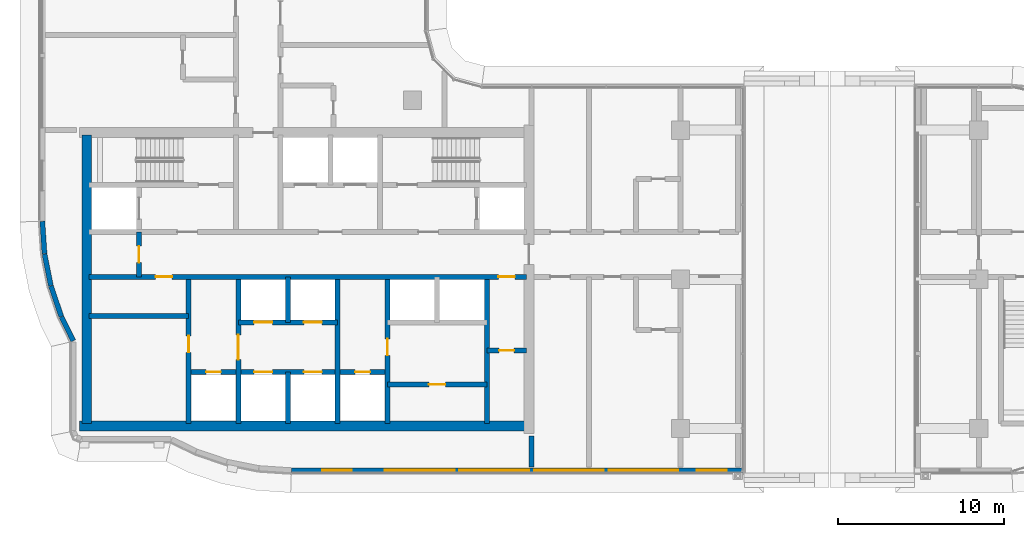
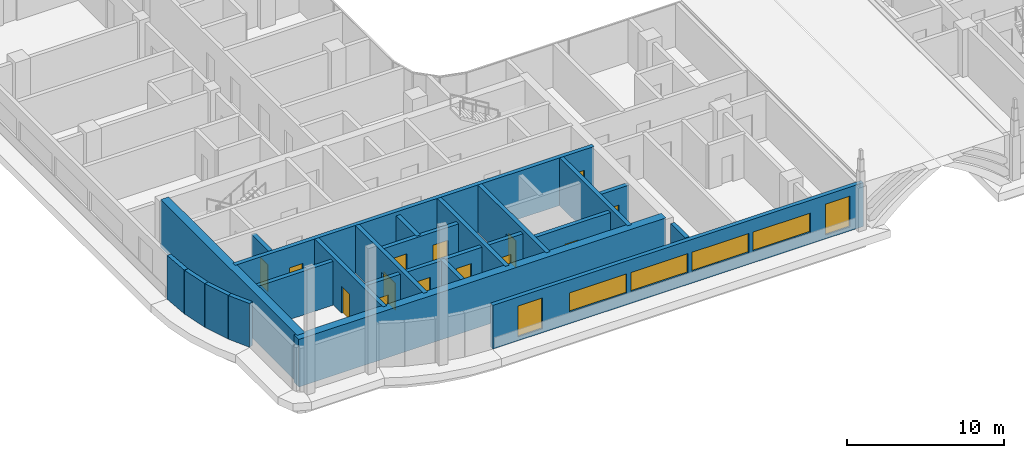
# One storey, part 10 of 23: 22 walls, 14 doors, 6 windows, 20 openings.
"""IFC4 building model written with IfcOpenShell, lengths in metres."""

import ifcopenshell
import ifcopenshell.guid

model = None  # the IFC model being written
_history = None  # IfcOwnerHistory: only IFC2X3 demands one
_inside = {}  # id of a spatial element -> (the spatial element, [elements in it])
_under = {}  # id of a project, library or spatial element -> (it, [spatial elements below it])
_declared = {}  # id of a project -> (the project, [libraries it declares])
_typed = {}  # id of a type object -> (the type object, [elements of that type])
_made_of = {}  # id of a material, layer set ... -> (it, [elements and type objects made of it])


def new_model(schema):
    """Start an empty IFC model of exactly this schema.

    Asked for "IFC4X3", IfcOpenShell would pick the latest addendum, in which some entities
    have other attributes; the version numbers below select the first issue.
    IFC2X3 requires an IfcOwnerHistory on every rooted entity: one is made here for all.
    """
    global model, _history
    if schema == "IFC4X3":
        model = ifcopenshell.file(schema_version=(4, 3, 0, 0))
    else:
        model = ifcopenshell.file(schema=schema)
    _inside.clear()
    _under.clear()
    _declared.clear()
    _typed.clear()
    _made_of.clear()
    _history = None
    if model.schema == "IFC2X3":
        org = make("IfcOrganization", Name="unknown")
        user = make(
            "IfcPersonAndOrganization",
            ThePerson=make("IfcPerson", FamilyName="unknown"),
            TheOrganization=org,
        )
        app = make(
            "IfcApplication",
            ApplicationDeveloper=org,
            Version="unknown",
            ApplicationFullName="unknown",
            ApplicationIdentifier="unknown",
        )
        _history = make(
            "IfcOwnerHistory",
            OwningUser=user,
            OwningApplication=app,
            ChangeAction="ADDED",
            CreationDate=0,
        )
    return model


def make(cls, **values):
    """One entity of the class cls with the attributes given. An attribute that is None is left unset."""
    return model.create_entity(
        cls, **{name: value for name, value in values.items() if value is not None}
    )


def rooted(cls, **values):
    """An entity with a GlobalId (a new one), such as an element, a storey or a relation."""
    return make(cls, GlobalId=ifcopenshell.guid.new(), OwnerHistory=_history, **values)


def si_unit(unit_type, name, prefix=None):
    """IfcSIUnit, for example si_unit("LENGTHUNIT", "METRE", prefix="MILLI")."""
    return make("IfcSIUnit", UnitType=unit_type, Prefix=prefix, Name=name)


def assignment(units):
    """IfcUnitAssignment: the units of a project."""
    return None if units is None else make("IfcUnitAssignment", Units=units)


def point(xyz):
    """IfcCartesianPoint."""
    return None if xyz is None else make("IfcCartesianPoint", Coordinates=xyz)


def direction(xyz):
    """IfcDirection."""
    return None if xyz is None else make("IfcDirection", DirectionRatios=xyz)


def frame(location, z_axis=None, x_axis=None):
    """IfcAxis2Placement3D, a coordinate frame: its origin and axes. An axis left out is left unset."""
    return make(
        "IfcAxis2Placement3D",
        Location=point(location),
        Axis=direction(z_axis),
        RefDirection=direction(x_axis),
    )


def frame_2d(location, x_axis=None):
    """IfcAxis2Placement2D, a coordinate frame in the plane: its origin and x axis."""
    return make(
        "IfcAxis2Placement2D", Location=point(location), RefDirection=direction(x_axis)
    )


def origin():
    """The frame at (0, 0, 0) with its axes left unset."""
    return frame((0.0, 0.0, 0.0))


def place(relative_to, where):
    """IfcLocalPlacement: puts the frame where relative to a parent placement (None: the world)."""
    return make(
        "IfcLocalPlacement", PlacementRelTo=relative_to, RelativePlacement=where
    )


def context(
    kind, dimensions, precision=None, world=None, true_north=None, identifier=None
):
    """IfcGeometricRepresentationContext, for example the 3D "Model" context."""
    return make(
        "IfcGeometricRepresentationContext",
        ContextIdentifier=identifier,
        ContextType=kind,
        CoordinateSpaceDimension=dimensions,
        Precision=precision,
        WorldCoordinateSystem=world,
        TrueNorth=true_north,
    )


def subcontext(parent, identifier, kind, view, scale=None):
    """IfcGeometricRepresentationSubContext, for example "Body" below "Model"."""
    return make(
        "IfcGeometricRepresentationSubContext",
        ContextIdentifier=identifier,
        ContextType=kind,
        ParentContext=parent,
        TargetScale=scale,
        TargetView=view,
    )


def project(units=None, contexts=None):
    """IfcProject with its units and contexts."""
    return rooted(
        "IfcProject",
        Name="project",
        RepresentationContexts=contexts,
        UnitsInContext=assignment(units),
    )


def spatial(cls, under=None, at=None, **own):
    """A site, building, storey or space (cls), placed at a placement, below another one or the project."""
    s = rooted(cls, ObjectPlacement=at, **own)
    if under is not None:
        _under.setdefault(under.id(), (under, []))[1].append(s)
    return s


def profile(cls, at=None, kind="AREA", **sizes):
    """A parametric profile (cls). Its sizes go by their IFC names, for example OverallWidth=200.0."""
    return make(cls, ProfileType=kind, Position=at, **sizes)


def rectangle(**sizes):
    """IfcRectangleProfileDef."""
    return profile("IfcRectangleProfileDef", **sizes)


def extrude(swept, where, along, depth):
    """IfcExtrudedAreaSolid: the profile swept, set in the frame where, extruded along a direction by depth."""
    return make(
        "IfcExtrudedAreaSolid",
        SweptArea=swept,
        Position=where,
        ExtrudedDirection=direction(along),
        Depth=depth,
    )


def shape(context_of_items, identifier, shape_type, items):
    """IfcShapeRepresentation: the items that make up one representation, for example the "Body"."""
    return make(
        "IfcShapeRepresentation",
        ContextOfItems=context_of_items,
        RepresentationIdentifier=identifier,
        RepresentationType=shape_type,
        Items=items,
    )


def material(Name=None, Category=None):
    """IfcMaterial."""
    return make("IfcMaterial", Name=Name, Category=Category)


def layer(
    of_material, thickness, ventilated=None, Name=None, Category=None, Priority=None
):
    """IfcMaterialLayer: one layer of a wall or slab, of a material (None: an air gap)."""
    return make(
        "IfcMaterialLayer",
        Material=of_material,
        LayerThickness=thickness,
        IsVentilated=ventilated,
        Name=Name,
        Category=Category,
        Priority=Priority,
    )


def layer_set(layers, Name=None):
    """IfcMaterialLayerSet."""
    return make("IfcMaterialLayerSet", MaterialLayers=layers, LayerSetName=Name)


def made_of(thing, what):
    """Note that an element or type object is made of a material, layer set ...; save() writes the relation."""
    if what is not None:
        _made_of.setdefault(what.id(), (what, []))[1].append(thing)
    return thing


def type_object(cls, material=None, **own):
    """A type object (cls), such as IfcWallType, which elements share."""
    return made_of(rooted(cls, **own), material)


def element(
    cls,
    number,
    at=None,
    inside=None,
    cuts=None,
    type_object=None,
    material=None,
    context=None,
    identifier="Body",
    shape_type=None,
    held_by="IfcProductDefinitionShape",
    body=None,
    shapes=None,
    **own,
):
    """One element of the class cls, such as IfcWall. Its Tag is "e" and its number.

    at: its placement. inside: the storey or other place that contains it. cuts: it is an
    opening in that element (IfcRelVoidsElement). A single representation is given by context,
    identifier, shape_type and body (its items); several are given by shapes. held_by: the class
    of the entity that holds the representations. save() writes the other relations.
    """
    e = rooted(cls, Tag="e%d" % number, ObjectPlacement=at, **own)
    if body is not None:
        shapes = [shape(context, identifier, shape_type, body)]
    if shapes is not None:
        e.Representation = make(held_by, Representations=shapes)
    if inside is not None:
        _inside.setdefault(inside.id(), (inside, []))[1].append(e)
    if cuts is not None:
        rooted(
            "IfcRelVoidsElement", RelatingBuildingElement=cuts, RelatedOpeningElement=e
        )
    if type_object is not None:
        _typed.setdefault(type_object.id(), (type_object, []))[1].append(e)
    return made_of(e, material)


def fill(opening, filler):
    """IfcRelFillsElement: the door or window that sits in an opening."""
    return rooted(
        "IfcRelFillsElement",
        RelatingOpeningElement=opening,
        RelatedBuildingElement=filler,
    )


def aggregate(whole, parts):
    """IfcRelAggregates: a whole, such as a stair, and the parts it consists of."""
    return rooted("IfcRelAggregates", RelatingObject=whole, RelatedObjects=parts)


def save(model, path):
    """Write the relations noted so far, then the file.

    IfcRelAggregates (storeys below a building ...), IfcRelContainedInSpatialStructure (elements
    in a storey), IfcRelDefinesByType, IfcRelAssociatesMaterial and IfcRelDeclares: one each for
    every whole, place, type object, material and project.
    """
    for whole, parts in _under.values():
        aggregate(whole, parts)
    for where, things in _inside.values():
        rooted(
            "IfcRelContainedInSpatialStructure",
            RelatedElements=things,
            RelatingStructure=where,
        )
    for kind, things in _typed.values():
        rooted("IfcRelDefinesByType", RelatedObjects=things, RelatingType=kind)
    for what, things in _made_of.values():
        rooted("IfcRelAssociatesMaterial", RelatedObjects=things, RelatingMaterial=what)
    for by, libraries in _declared.values():
        rooted("IfcRelDeclares", RelatingContext=by, RelatedDefinitions=libraries)
    model.write(path)


model = new_model("IFC4")

# Units and contexts
model_context = context("Model", 3, precision=1e-05, world=origin(), true_north=direction((0.0, 1.0)))
body_context = subcontext(model_context, "Body", "Model", "MODEL_VIEW")
ifc_project = project(units=[si_unit("LENGTHUNIT", "METRE"), si_unit("AREAUNIT", "SQUARE_METRE"), si_unit("VOLUMEUNIT", "CUBIC_METRE"), si_unit("PLANEANGLEUNIT", "RADIAN"), si_unit("MASSUNIT", "GRAM", prefix="KILO")], contexts=[model_context])

# Site, building, storey
site_placement = place(None, origin())
site = spatial("IfcSite", under=ifc_project, at=site_placement, CompositionType="ELEMENT")
building_placement = place(site_placement, origin())
building = spatial("IfcBuilding", under=site, at=building_placement, Name="Ogive Portal Towers", CompositionType="ELEMENT")
storey_placement = place(building_placement, frame((0.0, 0.0, 179.199951171875)))
storey = spatial("IfcBuildingStorey", under=building, at=storey_placement, Name="L44", CompositionType="ELEMENT", Elevation=179.199951171875)

# Wall, opening, door
ifc_material_1 = material(Name="Concrete C60/75", Category="concrete")
ifc_layer_1 = layer(ifc_material_1, 0.300048828125)
ifc_layer_set_1 = layer_set([ifc_layer_1], Name="CORE WALL 300 C60")
wall_type_1 = type_object("IfcWallType", Name="CORE WALL 300 C60", PredefinedType="SHEAR", material=ifc_layer_set_1)
wall_1_placement = place(storey_placement, frame((37.800048828125, 21.800048828125, 0.0), z_axis=(0.0, 0.0, 1.0), x_axis=(0.0, 1.0, 0.0)))
wall_1 = element("IfcWall", 1, at=wall_1_placement, inside=storey, type_object=wall_type_1, Name="Core wall X1 L44", PredefinedType="SHEAR", context=body_context, shape_type="SweptSolid", body=[
    extrude(rectangle(XDim=8.699951171875, YDim=0.300048828125, at=frame_2d((4.35009765625, 0.0))), origin(), (0.0, 0.0, 1.0), 3.699951171875),
])
opening_1_placement = place(wall_1_placement, frame((4.2880859375, 0.0, 0.0)))
opening_1 = element("IfcOpeningElement", 2, at=opening_1_placement, cuts=wall_1, Name="Opening D19-022", PredefinedType="OPENING", context=body_context, shape_type="SweptSolid", body=[
    extrude(rectangle(XDim=1.0, YDim=2.10009765625, at=frame_2d((0.5, 1.050048828125))), frame((0.0, 0.16015625, 0.0), z_axis=(0.0, -1.0, 0.0), x_axis=(1.0, 0.0, 0.0)), (0.0, 0.0, 1.0), 0.320068359375),
])
ifc_material_2 = material(Name="Steel fire door", Category="steel")
door_type_1 = type_object("IfcDoorType", Name="DT-SWING-1000x2100-FD90S", OperationType="SINGLE_SWING_LEFT", PredefinedType="DOOR", material=ifc_material_2)
door_1_placement = place(opening_1_placement, origin())
door_1 = element("IfcDoor", 3, at=door_1_placement, inside=storey, type_object=door_type_1, Name="Door D19-022", OperationType="SINGLE_SWING_RIGHT", OverallHeight=2.10009765625, OverallWidth=1.0, PredefinedType="DOOR", context=body_context, shape_type="SweptSolid", body=[
    extrude(rectangle(XDim=1.0, YDim=2.10009765625, at=frame_2d((0.5, 1.050048828125))), frame((0.0, 0.02490234375, 0.0), z_axis=(0.0, -1.0, 0.0), x_axis=(1.0, 0.0, 0.0)), (0.0, 0.0, 1.0), 0.050048828125),
])
fill(opening_1, door_1)

wall_2_placement = place(storey_placement, frame((40.800048828125, 21.800048828125, 0.0), z_axis=(0.0, 0.0, 1.0), x_axis=(0.0, 1.0, 0.0)))
wall_2 = element("IfcWall", 4, at=wall_2_placement, inside=storey, type_object=wall_type_1, Name="Core wall X2 L44", PredefinedType="SHEAR", context=body_context, shape_type="SweptSolid", body=[
    extrude(rectangle(XDim=8.699951171875, YDim=0.300048828125, at=frame_2d((4.35009765625, 0.0))), origin(), (0.0, 0.0, 1.0), 3.699951171875),
])
opening_2_placement = place(wall_2_placement, frame((3.85009765625, 0.0, 0.0)))
opening_2 = element("IfcOpeningElement", 5, at=opening_2_placement, cuts=wall_2, Name="Opening D19-001", PredefinedType="OPENING", context=body_context, shape_type="SweptSolid", body=[
    extrude(rectangle(XDim=1.5, YDim=2.10009765625, at=frame_2d((0.75, 1.050048828125))), frame((0.0, 0.16015625, 0.0), z_axis=(0.0, -1.0, 0.0), x_axis=(1.0, 0.0, 0.0)), (0.0, 0.0, 1.0), 0.320068359375),
])
door_type_2 = type_object("IfcDoorType", Name="DT-SWING-1500x2100-FD90S", OperationType="SINGLE_SWING_LEFT", PredefinedType="DOOR", material=ifc_material_2)
door_2_placement = place(opening_2_placement, origin())
door_2 = element("IfcDoor", 6, at=door_2_placement, inside=storey, type_object=door_type_2, Name="Door D19-001", OperationType="SINGLE_SWING_RIGHT", OverallHeight=2.10009765625, OverallWidth=1.5, PredefinedType="DOOR", context=body_context, shape_type="SweptSolid", body=[
    extrude(rectangle(XDim=1.5, YDim=2.10009765625, at=frame_2d((0.75, 1.050048828125))), frame((0.0, 0.02490234375, 0.0), z_axis=(0.0, -1.0, 0.0), x_axis=(1.0, 0.0, 0.0)), (0.0, 0.0, 1.0), 0.050048828125),
])
fill(opening_2, door_2)

# Wall
wall_3_placement = place(storey_placement, frame((46.800048828125, 21.800048828125, 0.0), z_axis=(0.0, 0.0, 1.0), x_axis=(0.0, 1.0, 0.0)))
element("IfcWall", 7, at=wall_3_placement, inside=storey, type_object=wall_type_1, Name="Core wall X3 L44", PredefinedType="SHEAR", context=body_context, shape_type="SweptSolid", body=[
    extrude(rectangle(XDim=8.699951171875, YDim=0.300048828125, at=frame_2d((4.35009765625, 0.0))), origin(), (0.0, 0.0, 1.0), 3.699951171875),
])

# Wall, opening, door
wall_4_placement = place(storey_placement, frame((49.800048828125, 21.800048828125, 0.0), z_axis=(0.0, 0.0, 1.0), x_axis=(0.0, 1.0, 0.0)))
wall_4 = element("IfcWall", 8, at=wall_4_placement, inside=storey, type_object=wall_type_1, Name="Core wall X4 L44", PredefinedType="SHEAR", context=body_context, shape_type="SweptSolid", body=[
    extrude(rectangle(XDim=8.699951171875, YDim=0.300048828125, at=frame_2d((4.35009765625, 0.0))), origin(), (0.0, 0.0, 1.0), 3.699951171875),
])
opening_3_placement = place(wall_4_placement, frame((4.10009765625, 0.0, 0.0)))
opening_3 = element("IfcOpeningElement", 9, at=opening_3_placement, cuts=wall_4, Name="Opening D19-023", PredefinedType="OPENING", context=body_context, shape_type="SweptSolid", body=[
    extrude(rectangle(XDim=1.0, YDim=2.10009765625, at=frame_2d((0.5, 1.050048828125))), frame((0.0, 0.16015625, 0.0), z_axis=(0.0, -1.0, 0.0), x_axis=(1.0, 0.0, 0.0)), (0.0, 0.0, 1.0), 0.320068359375),
])
door_3_placement = place(opening_3_placement, origin())
door_3 = element("IfcDoor", 10, at=door_3_placement, inside=storey, type_object=door_type_1, Name="Door D19-023", OperationType="SINGLE_SWING_LEFT", OverallHeight=2.10009765625, OverallWidth=1.0, PredefinedType="DOOR", context=body_context, shape_type="SweptSolid", body=[
    extrude(rectangle(XDim=1.0, YDim=2.10009765625, at=frame_2d((0.5, 1.050048828125))), frame((0.0, 0.02490234375, 0.0), z_axis=(0.0, -1.0, 0.0), x_axis=(1.0, 0.0, 0.0)), (0.0, 0.0, 1.0), 0.050048828125),
])
fill(opening_3, door_3)

# Wall
wall_5_placement = place(storey_placement, frame((55.800048828125, 21.800048828125, 0.0), z_axis=(0.0, 0.0, 1.0), x_axis=(0.0, 1.0, 0.0)))
element("IfcWall", 11, at=wall_5_placement, inside=storey, type_object=wall_type_1, Name="Core wall X5 L44", PredefinedType="SHEAR", context=body_context, shape_type="SweptSolid", body=[
    extrude(rectangle(XDim=8.699951171875, YDim=0.300048828125, at=frame_2d((4.35009765625, 0.0))), origin(), (0.0, 0.0, 1.0), 3.699951171875),
])

# Wall, openings, doors
wall_6_placement = place(storey_placement, frame((31.800048828125, 30.64990234375, 0.0), z_axis=(0.0, 0.0, 1.0), x_axis=(1.0, 0.0, 0.0)))
wall_6 = element("IfcWall", 12, at=wall_6_placement, inside=storey, type_object=wall_type_1, Name="Core wall Y1 L44", PredefinedType="SHEAR", context=body_context, shape_type="SweptSolid", body=[
    extrude(rectangle(XDim=26.39990234375, YDim=0.300048828125, at=frame_2d((13.199951171875, 0.0))), origin(), (0.0, 0.0, 1.0), 3.699951171875),
])
opening_4_placement = place(wall_6_placement, frame((24.699951171875, 0.0, 0.0)))
opening_4 = element("IfcOpeningElement", 13, at=opening_4_placement, cuts=wall_6, Name="Opening D19-009", PredefinedType="OPENING", context=body_context, shape_type="SweptSolid", body=[
    extrude(rectangle(XDim=1.0, YDim=2.10009765625, at=frame_2d((0.5, 1.050048828125))), frame((0.0, 0.16015625, 0.0), z_axis=(0.0, -1.0, 0.0), x_axis=(1.0, 0.0, 0.0)), (0.0, 0.0, 1.0), 0.320068359375),
])
opening_5_placement = place(wall_6_placement, frame((4.0, 0.0, 0.0)))
opening_5 = element("IfcOpeningElement", 14, at=opening_5_placement, cuts=wall_6, Name="Opening D19-021", PredefinedType="OPENING", context=body_context, shape_type="SweptSolid", body=[
    extrude(rectangle(XDim=1.0, YDim=2.10009765625, at=frame_2d((0.5, 1.050048828125))), frame((0.0, 0.16015625, 0.0), z_axis=(0.0, -1.0, 0.0), x_axis=(1.0, 0.0, 0.0)), (0.0, 0.0, 1.0), 0.320068359375),
])
door_4_placement = place(opening_4_placement, origin())
door_4 = element("IfcDoor", 15, at=door_4_placement, inside=storey, type_object=door_type_1, Name="Door D19-009", OperationType="SINGLE_SWING_LEFT", OverallHeight=2.10009765625, OverallWidth=1.0, PredefinedType="DOOR", context=body_context, shape_type="SweptSolid", body=[
    extrude(rectangle(XDim=1.0, YDim=2.10009765625, at=frame_2d((0.5, 1.050048828125))), frame((0.0, 0.02490234375, 0.0), z_axis=(0.0, -1.0, 0.0), x_axis=(1.0, 0.0, 0.0)), (0.0, 0.0, 1.0), 0.050048828125),
])
fill(opening_4, door_4)
door_5_placement = place(opening_5_placement, origin())
door_5 = element("IfcDoor", 16, at=door_5_placement, inside=storey, type_object=door_type_1, Name="Riser access door D19-021", OperationType="SINGLE_SWING_LEFT", OverallHeight=2.10009765625, OverallWidth=1.0, PredefinedType="DOOR", context=body_context, shape_type="SweptSolid", body=[
    extrude(rectangle(XDim=1.0, YDim=2.10009765625, at=frame_2d((0.5, 1.050048828125))), frame((0.0, 0.02490234375, 0.0), z_axis=(0.0, -1.0, 0.0), x_axis=(1.0, 0.0, 0.0)), (0.0, 0.0, 1.0), 0.050048828125),
])
fill(opening_5, door_5)

# Walls
ifc_layer_2 = layer(ifc_material_1, 0.60009765625)
ifc_layer_set_2 = layer_set([ifc_layer_2], Name="CORE WALL 600 C60")
wall_type_2 = type_object("IfcWallType", Name="CORE WALL 600 C60", PredefinedType="SHEAR", material=ifc_layer_set_2)
wall_7_placement = place(storey_placement, frame((31.64990234375, 21.800048828125, 0.0), z_axis=(0.0, 0.0, 1.0), x_axis=(0.0, 1.0, 0.0)))
element("IfcWall", 17, at=wall_7_placement, inside=storey, type_object=wall_type_2, Name="Core wall W L44", PredefinedType="SHEAR", context=body_context, shape_type="SweptSolid", body=[
    extrude(rectangle(XDim=17.39990234375, YDim=0.60009765625, at=frame_2d((8.699951171875, 0.0))), origin(), (0.0, 0.0, 1.0), 3.699951171875),
])
wall_8_placement = place(storey_placement, frame((31.199951171875, 21.64990234375, 0.0), z_axis=(0.0, 0.0, 1.0), x_axis=(1.0, 0.0, 0.0)))
element("IfcWall", 18, at=wall_8_placement, inside=storey, type_object=wall_type_2, Name="Core wall S L44", PredefinedType="SHEAR", context=body_context, shape_type="SweptSolid", body=[
    extrude(rectangle(XDim=27.0, YDim=0.60009765625, at=frame_2d((13.5, 0.0))), origin(), (0.0, 0.0, 1.0), 3.699951171875),
])

# Wall, openings, windows
ifc_material_3 = material(Name="Limestone cladding on lightweight block wall", Category="masonry")
ifc_layer_3 = layer(ifc_material_3, 0.300048828125)
ifc_layer_set_3 = layer_set([ifc_layer_3], Name="EXTERNAL WALL 300 STONE")
wall_type_3 = type_object("IfcWallType", Name="EXTERNAL WALL 300 STONE", PredefinedType="SOLIDWALL", material=ifc_layer_set_3)
wall_9_placement = place(storey_placement, frame((44.009765625, 18.969970703125, 0.0), z_axis=(0.0, 0.0, 1.0), x_axis=(1.0, 0.0, 0.0)))
wall_9 = element("IfcWall", 19, at=wall_9_placement, inside=storey, type_object=wall_type_3, Name="A:L44:f08:r0:wall", PredefinedType="SOLIDWALL", context=body_context, shape_type="SweptSolid", body=[
    extrude(rectangle(XDim=27.240234375, YDim=0.300048828125, at=frame_2d((13.6201171875, 0.0))), origin(), (0.0, 0.0, 1.0), 3.400146484375),
])
opening_6_placement = place(wall_9_placement, frame((1.844970703125, 0.0, 0.300048828125)))
opening_6 = element("IfcOpeningElement", 20, at=opening_6_placement, cuts=wall_9, Name="Opening WN10", PredefinedType="OPENING", context=body_context, shape_type="SweptSolid", body=[
    extrude(rectangle(XDim=1.800048828125, YDim=2.39990234375, at=frame_2d((0.89990234375, 1.199951171875))), frame((0.0, 0.16015625, 0.0), z_axis=(0.0, -1.0, 0.0), x_axis=(1.0, 0.0, 0.0)), (0.0, 0.0, 1.0), 0.320068359375),
])
opening_7_placement = place(wall_9_placement, frame((5.64013671875, 0.0, 0.89990234375)))
opening_7 = element("IfcOpeningElement", 21, at=opening_7_placement, cuts=wall_9, Name="Opening WN11", PredefinedType="OPENING", context=body_context, shape_type="SweptSolid", body=[
    extrude(rectangle(XDim=4.199951171875, YDim=1.5, at=frame_2d((2.10009765625, 0.75))), frame((0.0, 0.16015625, 0.0), z_axis=(0.0, -1.0, 0.0), x_axis=(1.0, 0.0, 0.0)), (0.0, 0.0, 1.0), 0.320068359375),
])
opening_8_placement = place(wall_9_placement, frame((10.14013671875, 0.0, 0.89990234375)))
opening_8 = element("IfcOpeningElement", 22, at=opening_8_placement, cuts=wall_9, Name="Opening WN11", PredefinedType="OPENING", context=body_context, shape_type="SweptSolid", body=[
    extrude(rectangle(XDim=4.199951171875, YDim=1.5, at=frame_2d((2.10009765625, 0.75))), frame((0.0, 0.16015625, 0.0), z_axis=(0.0, -1.0, 0.0), x_axis=(1.0, 0.0, 0.0)), (0.0, 0.0, 1.0), 0.320068359375),
])
opening_9_placement = place(wall_9_placement, frame((14.64013671875, 0.0, 0.89990234375)))
opening_9 = element("IfcOpeningElement", 23, at=opening_9_placement, cuts=wall_9, Name="Opening WN11", PredefinedType="OPENING", context=body_context, shape_type="SweptSolid", body=[
    extrude(rectangle(XDim=4.199951171875, YDim=1.5, at=frame_2d((2.10009765625, 0.75))), frame((0.0, 0.16015625, 0.0), z_axis=(0.0, -1.0, 0.0), x_axis=(1.0, 0.0, 0.0)), (0.0, 0.0, 1.0), 0.320068359375),
])
opening_10_placement = place(wall_9_placement, frame((19.14013671875, 0.0, 0.89990234375)))
opening_10 = element("IfcOpeningElement", 24, at=opening_10_placement, cuts=wall_9, Name="Opening WN11", PredefinedType="OPENING", context=body_context, shape_type="SweptSolid", body=[
    extrude(rectangle(XDim=4.199951171875, YDim=1.5, at=frame_2d((2.10009765625, 0.75))), frame((0.0, 0.16015625, 0.0), z_axis=(0.0, -1.0, 0.0), x_axis=(1.0, 0.0, 0.0)), (0.0, 0.0, 1.0), 0.320068359375),
])
opening_11_placement = place(wall_9_placement, frame((24.465087890625, 0.0, 0.300048828125)))
opening_11 = element("IfcOpeningElement", 25, at=opening_11_placement, cuts=wall_9, Name="Opening WN10", PredefinedType="OPENING", context=body_context, shape_type="SweptSolid", body=[
    extrude(rectangle(XDim=1.800048828125, YDim=2.39990234375, at=frame_2d((0.89990234375, 1.199951171875))), frame((0.0, 0.16015625, 0.0), z_axis=(0.0, -1.0, 0.0), x_axis=(1.0, 0.0, 0.0)), (0.0, 0.0, 1.0), 0.320068359375),
])
ifc_material_4 = material(Name="Glass, clear low-iron insulated glazing", Category="glass")
window_type_1 = type_object("IfcWindowType", Name="WINDOW RIBBON 4200x1500", PartitioningType="TRIPLE_PANEL_VERTICAL", PredefinedType="WINDOW", material=ifc_material_4)
window_1_placement = place(opening_7_placement, origin())
window_1 = element("IfcWindow", 26, at=window_1_placement, inside=storey, type_object=window_type_1, Name="A:L44:f08:r0:w1", OverallHeight=1.5, OverallWidth=4.199951171875, PartitioningType="SINGLE_PANEL", PredefinedType="WINDOW", context=body_context, shape_type="SweptSolid", body=[
    extrude(rectangle(XDim=4.199951171875, YDim=1.5, at=frame_2d((2.10009765625, 0.75))), frame((0.0, 0.030029296875, 0.0), z_axis=(0.0, -1.0, 0.0), x_axis=(1.0, 0.0, 0.0)), (0.0, 0.0, 1.0), 0.06005859375),
])
fill(opening_7, window_1)
window_2_placement = place(opening_8_placement, origin())
window_2 = element("IfcWindow", 27, at=window_2_placement, inside=storey, type_object=window_type_1, Name="A:L44:f08:r0:w2", OverallHeight=1.5, OverallWidth=4.199951171875, PartitioningType="SINGLE_PANEL", PredefinedType="WINDOW", context=body_context, shape_type="SweptSolid", body=[
    extrude(rectangle(XDim=4.199951171875, YDim=1.5, at=frame_2d((2.10009765625, 0.75))), frame((0.0, 0.030029296875, 0.0), z_axis=(0.0, -1.0, 0.0), x_axis=(1.0, 0.0, 0.0)), (0.0, 0.0, 1.0), 0.06005859375),
])
fill(opening_8, window_2)
window_3_placement = place(opening_9_placement, origin())
window_3 = element("IfcWindow", 28, at=window_3_placement, inside=storey, type_object=window_type_1, Name="A:L44:f08:r0:w3", OverallHeight=1.5, OverallWidth=4.199951171875, PartitioningType="SINGLE_PANEL", PredefinedType="WINDOW", context=body_context, shape_type="SweptSolid", body=[
    extrude(rectangle(XDim=4.199951171875, YDim=1.5, at=frame_2d((2.10009765625, 0.75))), frame((0.0, 0.030029296875, 0.0), z_axis=(0.0, -1.0, 0.0), x_axis=(1.0, 0.0, 0.0)), (0.0, 0.0, 1.0), 0.06005859375),
])
fill(opening_9, window_3)
window_4_placement = place(opening_10_placement, origin())
window_4 = element("IfcWindow", 29, at=window_4_placement, inside=storey, type_object=window_type_1, Name="A:L44:f08:r0:w4", OverallHeight=1.5, OverallWidth=4.199951171875, PartitioningType="SINGLE_PANEL", PredefinedType="WINDOW", context=body_context, shape_type="SweptSolid", body=[
    extrude(rectangle(XDim=4.199951171875, YDim=1.5, at=frame_2d((2.10009765625, 0.75))), frame((0.0, 0.030029296875, 0.0), z_axis=(0.0, -1.0, 0.0), x_axis=(1.0, 0.0, 0.0)), (0.0, 0.0, 1.0), 0.06005859375),
])
fill(opening_10, window_4)
window_type_2 = type_object("IfcWindowType", Name="WINDOW SUITE CORNER 1800x2400", PartitioningType="DOUBLE_PANEL_VERTICAL", PredefinedType="WINDOW", material=ifc_material_4)
window_5_placement = place(opening_6_placement, origin())
window_5 = element("IfcWindow", 30, at=window_5_placement, inside=storey, type_object=window_type_2, Name="A:L44:f08:r0:w0", OverallHeight=2.39990234375, OverallWidth=1.800048828125, PartitioningType="SINGLE_PANEL", PredefinedType="WINDOW", context=body_context, shape_type="SweptSolid", body=[
    extrude(rectangle(XDim=1.800048828125, YDim=2.39990234375, at=frame_2d((0.89990234375, 1.199951171875))), frame((0.0, 0.030029296875, 0.0), z_axis=(0.0, -1.0, 0.0), x_axis=(1.0, 0.0, 0.0)), (0.0, 0.0, 1.0), 0.06005859375),
])
fill(opening_6, window_5)
window_6_placement = place(opening_11_placement, origin())
window_6 = element("IfcWindow", 31, at=window_6_placement, inside=storey, type_object=window_type_2, Name="A:L44:f08:r0:w5", OverallHeight=2.39990234375, OverallWidth=1.800048828125, PartitioningType="SINGLE_PANEL", PredefinedType="WINDOW", context=body_context, shape_type="SweptSolid", body=[
    extrude(rectangle(XDim=1.800048828125, YDim=2.39990234375, at=frame_2d((0.89990234375, 1.199951171875))), frame((0.0, 0.030029296875, 0.0), z_axis=(0.0, -1.0, 0.0), x_axis=(1.0, 0.0, 0.0)), (0.0, 0.0, 1.0), 0.06005859375),
])
fill(opening_11, window_6)

# Walls
wall_10_placement = place(storey_placement, frame((28.97021484375, 34.0, 0.0), z_axis=(0.0, 0.0, 1.0), x_axis=(0.065400645538, -0.997859086025, 0.0)))
element("IfcWall", 32, at=wall_10_placement, inside=storey, type_object=wall_type_3, Name="A:L44:f22:r0:wall", PredefinedType="SOLIDWALL", context=body_context, shape_type="SweptSolid", body=[
    extrude(rectangle(XDim=1.9560546875, YDim=0.300048828125, at=frame_2d((0.97802734375, 0.0))), origin(), (0.0, 0.0, 1.0), 3.400146484375),
])
for number, where, z_axis, x_axis, name in (
    (33, (29.100830078125, 32.028564453125, 0.0), (0.0, 0.0, 1.0), (0.195054629737, -0.980792379364, 0.0), "A:L44:f23:r0:wall"),
    (34, (29.485595703125, 30.100830078125, 0.0), (0.0, 0.0, 1.0), (0.32149118085, -0.946912572858, 0.0), "A:L44:f24:r0:wall"),
):
    element("IfcWall", number, at=place(storey_placement, frame(where, z_axis=z_axis, x_axis=x_axis)), inside=storey, type_object=wall_type_3, Name=name, PredefinedType="SOLIDWALL", context=body_context, shape_type="SweptSolid", body=[
        extrude(rectangle(XDim=1.9462890625, YDim=0.300048828125, at=frame_2d((0.97314453125, 0.0))), origin(), (0.0, 0.0, 1.0), 3.400146484375),
    ])
wall_11_placement = place(storey_placement, frame((30.11865234375, 28.239501953125, 0.0), z_axis=(0.0, 0.0, 1.0), x_axis=(0.442319080682, -0.896857753975, 0.0)))
element("IfcWall", 35, at=wall_11_placement, inside=storey, type_object=wall_type_3, Name="A:L44:f25:r0:wall", PredefinedType="SOLIDWALL", context=body_context, shape_type="SweptSolid", body=[
    extrude(rectangle(XDim=1.618408203125, YDim=0.300048828125, at=frame_2d((0.80908203125, 0.0))), origin(), (0.0, 0.0, 1.0), 3.400146484375),
])

# Wall, opening, door
ifc_material_5 = material(Name="Gypsum board partition on steel studs", Category="steel")
ifc_layer_4 = layer(ifc_material_5, 0.300048828125)
ifc_layer_set_4 = layer_set([ifc_layer_4], Name="WT-PART-300")
wall_type_4 = type_object("IfcWallType", Name="WT-PART-300", PredefinedType="PARTITIONING", material=ifc_layer_set_4)
wall_12_placement = place(storey_placement, frame((49.800048828125, 24.14990234375, 0.0), z_axis=(0.0, 0.0, 1.0), x_axis=(1.0, 0.0, 0.0)))
wall_12 = element("IfcWall", 36, at=wall_12_placement, inside=storey, type_object=wall_type_4, Name="Wall pw:001:L44", PredefinedType="PARTITIONING", context=body_context, shape_type="SweptSolid", body=[
    extrude(rectangle(XDim=6.0, YDim=0.300048828125, at=frame_2d((3.0, 0.0))), origin(), (0.0, 0.0, 1.0), 3.400146484375),
])
opening_12_placement = place(wall_12_placement, frame((2.5, 0.0, 0.0)))
opening_12 = element("IfcOpeningElement", 37, at=opening_12_placement, cuts=wall_12, Name="Opening D19-024", PredefinedType="OPENING", context=body_context, shape_type="SweptSolid", body=[
    extrude(rectangle(XDim=1.0, YDim=2.10009765625, at=frame_2d((0.5, 1.050048828125))), frame((0.0, 0.16015625, 0.0), z_axis=(0.0, -1.0, 0.0), x_axis=(1.0, 0.0, 0.0)), (0.0, 0.0, 1.0), 0.320068359375),
])
door_type_3 = type_object("IfcDoorType", Name="DT-SWING-1000x2100-FD60S", OperationType="SINGLE_SWING_LEFT", PredefinedType="DOOR", material=ifc_material_2)
door_6_placement = place(opening_12_placement, origin())
door_6 = element("IfcDoor", 38, at=door_6_placement, inside=storey, type_object=door_type_3, Name="Door D19-024", OperationType="SINGLE_SWING_RIGHT", OverallHeight=2.10009765625, OverallWidth=1.0, PredefinedType="DOOR", context=body_context, shape_type="SweptSolid", body=[
    extrude(rectangle(XDim=1.0, YDim=2.10009765625, at=frame_2d((0.5, 1.050048828125))), frame((0.0, 0.02490234375, 0.0), z_axis=(0.0, -1.0, 0.0), x_axis=(1.0, 0.0, 0.0)), (0.0, 0.0, 1.0), 0.050048828125),
])
fill(opening_12, door_6)

wall_13_placement = place(storey_placement, frame((55.800048828125, 26.199951171875, 0.0), z_axis=(0.0, 0.0, 1.0), x_axis=(1.0, 0.0, 0.0)))
wall_13 = element("IfcWall", 39, at=wall_13_placement, inside=storey, type_object=wall_type_4, Name="Wall pw:003:L44", PredefinedType="PARTITIONING", context=body_context, shape_type="SweptSolid", body=[
    extrude(rectangle(XDim=2.39990234375, YDim=0.300048828125, at=frame_2d((1.199951171875, 0.0))), origin(), (0.0, 0.0, 1.0), 3.400146484375),
])
opening_13_placement = place(wall_13_placement, frame((0.75, 0.0, 0.0)))
opening_13 = element("IfcOpeningElement", 40, at=opening_13_placement, cuts=wall_13, Name="Opening D19-010", PredefinedType="OPENING", context=body_context, shape_type="SweptSolid", body=[
    extrude(rectangle(XDim=0.89990234375, YDim=2.10009765625, at=frame_2d((0.449951171875, 1.050048828125))), frame((0.0, 0.16015625, 0.0), z_axis=(0.0, -1.0, 0.0), x_axis=(1.0, 0.0, 0.0)), (0.0, 0.0, 1.0), 0.320068359375),
])
door_type_4 = type_object("IfcDoorType", Name="DT-SWING-900x2100-FD60S", OperationType="SINGLE_SWING_LEFT", PredefinedType="DOOR", material=ifc_material_2)
door_7_placement = place(opening_13_placement, origin())
door_7 = element("IfcDoor", 41, at=door_7_placement, inside=storey, type_object=door_type_4, Name="Door D19-010", OperationType="SINGLE_SWING_RIGHT", OverallHeight=2.10009765625, OverallWidth=0.89990234375, PredefinedType="DOOR", context=body_context, shape_type="SweptSolid", body=[
    extrude(rectangle(XDim=0.89990234375, YDim=2.10009765625, at=frame_2d((0.449951171875, 1.050048828125))), frame((0.0, 0.02490234375, 0.0), z_axis=(0.0, -1.0, 0.0), x_axis=(1.0, 0.0, 0.0)), (0.0, 0.0, 1.0), 0.050048828125),
])
fill(opening_13, door_7)

# Walls
wall_14_placement = place(storey_placement, frame((31.800048828125, 28.277099609375, 0.0), z_axis=(0.0, 0.0, 1.0), x_axis=(1.0, 0.0, 0.0)))
element("IfcWall", 42, at=wall_14_placement, inside=storey, type_object=wall_type_4, Name="Wall pw:006:L44", PredefinedType="PARTITIONING", context=body_context, shape_type="SweptSolid", body=[
    extrude(rectangle(XDim=6.0, YDim=0.300048828125, at=frame_2d((3.0, 0.0))), origin(), (0.0, 0.0, 1.0), 3.400146484375),
])
ifc_layer_5 = layer(ifc_material_5, 0.300048828125)
ifc_layer_set_5 = layer_set([ifc_layer_5], Name="WT-PART-300-EI 60")
wall_type_5 = type_object("IfcWallType", Name="WT-PART-300-EI 60", PredefinedType="PARTITIONING", material=ifc_layer_set_5)
wall_15_placement = place(storey_placement, frame((58.5, 19.169921875, 0.0), z_axis=(0.0, 0.0, 1.0), x_axis=(0.0, 1.0, 0.0)))
element("IfcWall", 43, at=wall_15_placement, inside=storey, type_object=wall_type_5, Name="Wall L44:w043", PredefinedType="PARTITIONING", context=body_context, shape_type="SweptSolid", body=[
    extrude(rectangle(XDim=1.860107421875, YDim=0.300048828125, at=frame_2d((0.93017578125, 0.0))), origin(), (0.0, 0.0, 1.0), 3.400146484375),
])

# Wall, openings, doors
ifc_material_6 = material(Name="Concrete C40/50", Category="concrete")
ifc_layer_6 = layer(ifc_material_6, 0.300048828125)
ifc_layer_set_6 = layer_set([ifc_layer_6], Name="WT-SHAFT-300")
wall_type_6 = type_object("IfcWallType", Name="WT-SHAFT-300", PredefinedType="SOLIDWALL", material=ifc_layer_set_6)
wall_16_placement = place(storey_placement, frame((37.800048828125, 24.89990234375, 0.0), z_axis=(0.0, 0.0, 1.0), x_axis=(1.0, 0.0, 0.0)))
wall_16 = element("IfcWall", 44, at=wall_16_placement, inside=storey, type_object=wall_type_6, Name="Wall pw:002:L44", PredefinedType="SOLIDWALL", context=body_context, shape_type="SweptSolid", body=[
    extrude(rectangle(XDim=12.0, YDim=0.300048828125, at=frame_2d((6.0, 0.0))), origin(), (0.0, 0.0, 1.0), 3.400146484375),
])
opening_14_placement = place(wall_16_placement, frame((1.050048828125, 0.0, 0.0)))
opening_14 = element("IfcOpeningElement", 45, at=opening_14_placement, cuts=wall_16, Name="Opening D19-007", PredefinedType="OPENING", context=body_context, shape_type="SweptSolid", body=[
    extrude(rectangle(XDim=0.89990234375, YDim=2.10009765625, at=frame_2d((0.449951171875, 1.050048828125))), frame((0.0, 0.16015625, 0.0), z_axis=(0.0, -1.0, 0.0), x_axis=(1.0, 0.0, 0.0)), (0.0, 0.0, 1.0), 0.320068359375),
])
opening_15_placement = place(wall_16_placement, frame((10.050048828125, 0.0, 0.0)))
opening_15 = element("IfcOpeningElement", 46, at=opening_15_placement, cuts=wall_16, Name="Opening D19-008", PredefinedType="OPENING", context=body_context, shape_type="SweptSolid", body=[
    extrude(rectangle(XDim=0.89990234375, YDim=2.10009765625, at=frame_2d((0.449951171875, 1.050048828125))), frame((0.0, 0.16015625, 0.0), z_axis=(0.0, -1.0, 0.0), x_axis=(1.0, 0.0, 0.0)), (0.0, 0.0, 1.0), 0.320068359375),
])
opening_16_placement = place(wall_16_placement, frame((3.949951171875, 0.0, 0.0)))
opening_16 = element("IfcOpeningElement", 47, at=opening_16_placement, cuts=wall_16, Name="Opening D19-013", PredefinedType="OPENING", context=body_context, shape_type="SweptSolid", body=[
    extrude(rectangle(XDim=1.10009765625, YDim=2.39990234375, at=frame_2d((0.550048828125, 1.199951171875))), frame((0.0, 0.16015625, 0.0), z_axis=(0.0, -1.0, 0.0), x_axis=(1.0, 0.0, 0.0)), (0.0, 0.0, 1.0), 0.320068359375),
])
opening_17_placement = place(wall_16_placement, frame((6.949951171875, 0.0, 0.0)))
opening_17 = element("IfcOpeningElement", 48, at=opening_17_placement, cuts=wall_16, Name="Opening D19-014", PredefinedType="OPENING", context=body_context, shape_type="SweptSolid", body=[
    extrude(rectangle(XDim=1.10009765625, YDim=2.39990234375, at=frame_2d((0.550048828125, 1.199951171875))), frame((0.0, 0.16015625, 0.0), z_axis=(0.0, -1.0, 0.0), x_axis=(1.0, 0.0, 0.0)), (0.0, 0.0, 1.0), 0.320068359375),
])
ifc_material_7 = material(Name="Stainless steel", Category="steel")
door_type_5 = type_object("IfcDoorType", Name="DT-LD-1100x2400", OperationType="SLIDING_TO_LEFT", PredefinedType="DOOR", material=ifc_material_7)
door_8_placement = place(opening_16_placement, origin())
door_8 = element("IfcDoor", 49, at=door_8_placement, inside=storey, type_object=door_type_5, Name="Door D19-013", OperationType="SLIDING_TO_LEFT", OverallHeight=2.39990234375, OverallWidth=1.10009765625, PredefinedType="DOOR", context=body_context, shape_type="SweptSolid", body=[
    extrude(rectangle(XDim=1.10009765625, YDim=2.39990234375, at=frame_2d((0.550048828125, 1.199951171875))), frame((0.0, 0.02490234375, 0.0), z_axis=(0.0, -1.0, 0.0), x_axis=(1.0, 0.0, 0.0)), (0.0, 0.0, 1.0), 0.050048828125),
])
fill(opening_16, door_8)
door_9_placement = place(opening_17_placement, origin())
door_9 = element("IfcDoor", 50, at=door_9_placement, inside=storey, type_object=door_type_5, Name="Door D19-014", OperationType="SLIDING_TO_LEFT", OverallHeight=2.39990234375, OverallWidth=1.10009765625, PredefinedType="DOOR", context=body_context, shape_type="SweptSolid", body=[
    extrude(rectangle(XDim=1.10009765625, YDim=2.39990234375, at=frame_2d((0.550048828125, 1.199951171875))), frame((0.0, 0.02490234375, 0.0), z_axis=(0.0, -1.0, 0.0), x_axis=(1.0, 0.0, 0.0)), (0.0, 0.0, 1.0), 0.050048828125),
])
fill(opening_17, door_9)
door_type_6 = type_object("IfcDoorType", Name="DT-SWING-900x2100-FD90S", OperationType="SINGLE_SWING_LEFT", PredefinedType="DOOR", material=ifc_material_2)
door_10_placement = place(opening_14_placement, origin())
door_10 = element("IfcDoor", 51, at=door_10_placement, inside=storey, type_object=door_type_6, Name="Riser access door D19-007", OperationType="SINGLE_SWING_LEFT", OverallHeight=2.10009765625, OverallWidth=0.89990234375, PredefinedType="DOOR", context=body_context, shape_type="SweptSolid", body=[
    extrude(rectangle(XDim=0.89990234375, YDim=2.10009765625, at=frame_2d((0.449951171875, 1.050048828125))), frame((0.0, 0.02490234375, 0.0), z_axis=(0.0, -1.0, 0.0), x_axis=(1.0, 0.0, 0.0)), (0.0, 0.0, 1.0), 0.050048828125),
])
fill(opening_14, door_10)
door_11_placement = place(opening_15_placement, origin())
door_11 = element("IfcDoor", 52, at=door_11_placement, inside=storey, type_object=door_type_6, Name="Riser access door D19-008", OperationType="SINGLE_SWING_RIGHT", OverallHeight=2.10009765625, OverallWidth=0.89990234375, PredefinedType="DOOR", context=body_context, shape_type="SweptSolid", body=[
    extrude(rectangle(XDim=0.89990234375, YDim=2.10009765625, at=frame_2d((0.449951171875, 1.050048828125))), frame((0.0, 0.02490234375, 0.0), z_axis=(0.0, -1.0, 0.0), x_axis=(1.0, 0.0, 0.0)), (0.0, 0.0, 1.0), 0.050048828125),
])
fill(opening_15, door_11)

wall_17_placement = place(storey_placement, frame((40.800048828125, 27.89990234375, 0.0), z_axis=(0.0, 0.0, 1.0), x_axis=(1.0, 0.0, 0.0)))
wall_17 = element("IfcWall", 53, at=wall_17_placement, inside=storey, type_object=wall_type_6, Name="Wall pw:004:L44", PredefinedType="SOLIDWALL", context=body_context, shape_type="SweptSolid", body=[
    extrude(rectangle(XDim=6.0, YDim=0.300048828125, at=frame_2d((3.0, 0.0))), origin(), (0.0, 0.0, 1.0), 3.400146484375),
])
opening_18_placement = place(wall_17_placement, frame((0.949951171875, 0.0, 0.0)))
opening_18 = element("IfcOpeningElement", 54, at=opening_18_placement, cuts=wall_17, Name="Opening D19-015", PredefinedType="OPENING", context=body_context, shape_type="SweptSolid", body=[
    extrude(rectangle(XDim=1.10009765625, YDim=2.39990234375, at=frame_2d((0.550048828125, 1.199951171875))), frame((0.0, 0.16015625, 0.0), z_axis=(0.0, -1.0, 0.0), x_axis=(1.0, 0.0, 0.0)), (0.0, 0.0, 1.0), 0.320068359375),
])
opening_19_placement = place(wall_17_placement, frame((3.949951171875, 0.0, 0.0)))
opening_19 = element("IfcOpeningElement", 55, at=opening_19_placement, cuts=wall_17, Name="Opening D19-016", PredefinedType="OPENING", context=body_context, shape_type="SweptSolid", body=[
    extrude(rectangle(XDim=1.10009765625, YDim=2.39990234375, at=frame_2d((0.550048828125, 1.199951171875))), frame((0.0, 0.16015625, 0.0), z_axis=(0.0, -1.0, 0.0), x_axis=(1.0, 0.0, 0.0)), (0.0, 0.0, 1.0), 0.320068359375),
])
door_12_placement = place(opening_18_placement, origin())
door_12 = element("IfcDoor", 56, at=door_12_placement, inside=storey, type_object=door_type_5, Name="Door D19-015", OperationType="SLIDING_TO_LEFT", OverallHeight=2.39990234375, OverallWidth=1.10009765625, PredefinedType="DOOR", context=body_context, shape_type="SweptSolid", body=[
    extrude(rectangle(XDim=1.10009765625, YDim=2.39990234375, at=frame_2d((0.550048828125, 1.199951171875))), frame((0.0, 0.02490234375, 0.0), z_axis=(0.0, -1.0, 0.0), x_axis=(1.0, 0.0, 0.0)), (0.0, 0.0, 1.0), 0.050048828125),
])
fill(opening_18, door_12)
door_13_placement = place(opening_19_placement, origin())
door_13 = element("IfcDoor", 57, at=door_13_placement, inside=storey, type_object=door_type_5, Name="Door D19-016", OperationType="SLIDING_TO_LEFT", OverallHeight=2.39990234375, OverallWidth=1.10009765625, PredefinedType="DOOR", context=body_context, shape_type="SweptSolid", body=[
    extrude(rectangle(XDim=1.10009765625, YDim=2.39990234375, at=frame_2d((0.550048828125, 1.199951171875))), frame((0.0, 0.02490234375, 0.0), z_axis=(0.0, -1.0, 0.0), x_axis=(1.0, 0.0, 0.0)), (0.0, 0.0, 1.0), 0.050048828125),
])
fill(opening_19, door_13)

# Wall, opening, door
wall_18_placement = place(storey_placement, frame((34.800048828125, 30.64990234375, 0.0), z_axis=(0.0, 0.0, 1.0), x_axis=(0.0, 1.0, 0.0)))
wall_18 = element("IfcWall", 58, at=wall_18_placement, inside=storey, type_object=wall_type_6, Name="Wall pw:007:L44", PredefinedType="SOLIDWALL", context=body_context, shape_type="SweptSolid", body=[
    extrude(rectangle(XDim=2.7001953125, YDim=0.300048828125, at=frame_2d((1.35009765625, 0.0))), origin(), (0.0, 0.0, 1.0), 3.400146484375),
])
opening_20_placement = place(wall_18_placement, frame((0.85009765625, 0.0, 0.0)))
opening_20 = element("IfcOpeningElement", 59, at=opening_20_placement, cuts=wall_18, Name="Opening D19-025", PredefinedType="OPENING", context=body_context, shape_type="SweptSolid", body=[
    extrude(rectangle(XDim=1.0, YDim=2.10009765625, at=frame_2d((0.5, 1.050048828125))), frame((0.0, 0.16015625, 0.0), z_axis=(0.0, -1.0, 0.0), x_axis=(1.0, 0.0, 0.0)), (0.0, 0.0, 1.0), 0.320068359375),
])
door_14_placement = place(opening_20_placement, origin())
door_14 = element("IfcDoor", 60, at=door_14_placement, inside=storey, type_object=door_type_1, Name="Door D19-025", OperationType="SINGLE_SWING_LEFT", OverallHeight=2.10009765625, OverallWidth=1.0, PredefinedType="DOOR", context=body_context, shape_type="SweptSolid", body=[
    extrude(rectangle(XDim=1.0, YDim=2.10009765625, at=frame_2d((0.5, 1.050048828125))), frame((0.0, 0.02490234375, 0.0), z_axis=(0.0, -1.0, 0.0), x_axis=(1.0, 0.0, 0.0)), (0.0, 0.0, 1.0), 0.050048828125),
])
fill(opening_20, door_14)

# Walls
wall_19_placement = place(storey_placement, frame((43.800048828125, 21.800048828125, 0.0), z_axis=(0.0, 0.0, 1.0), x_axis=(0.0, 1.0, 0.0)))
element("IfcWall", 61, at=wall_19_placement, inside=storey, type_object=wall_type_6, Name="Wall pw:008:L44", PredefinedType="SOLIDWALL", context=body_context, shape_type="SweptSolid", body=[
    extrude(rectangle(XDim=3.099853515625, YDim=0.300048828125, at=frame_2d((1.5498046875, 0.0))), origin(), (0.0, 0.0, 1.0), 3.400146484375),
])
wall_20_placement = place(storey_placement, frame((43.800048828125, 27.89990234375, 0.0), z_axis=(0.0, 0.0, 1.0), x_axis=(0.0, 1.0, 0.0)))
element("IfcWall", 62, at=wall_20_placement, inside=storey, type_object=wall_type_6, Name="Wall pw:009:L44", PredefinedType="SOLIDWALL", context=body_context, shape_type="SweptSolid", body=[
    extrude(rectangle(XDim=2.75, YDim=0.300048828125, at=frame_2d((1.375, 0.0))), origin(), (0.0, 0.0, 1.0), 3.400146484375),
])

save(model, "model.ifc")
